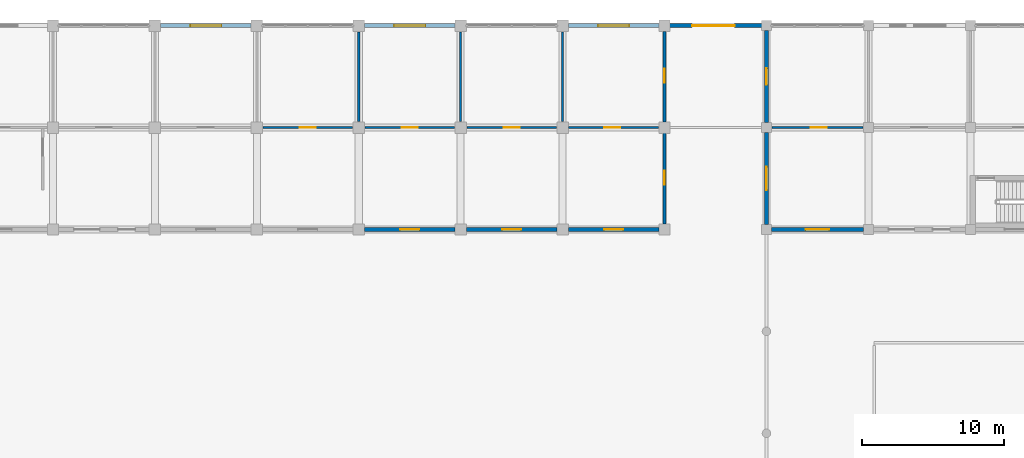
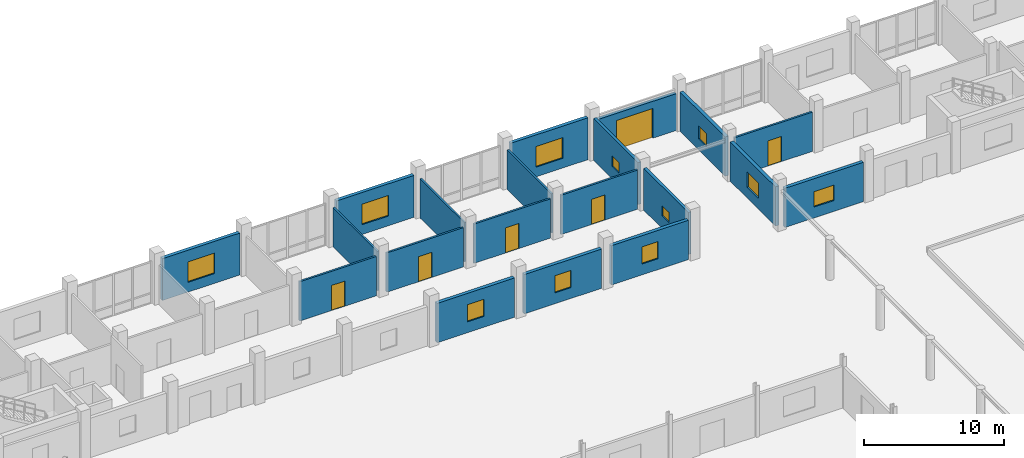
# One storey, part 119 of 139: 20 walls, 11 windows, 6 doors, 17 openings.
"""IFC4 building model written with IfcOpenShell, lengths in metres."""

from ifc_helpers import new_model, si_unit, direction, frame, frame_2d, origin, place, context, subcontext, project, spatial, rectangle, extrude, material, layer, layer_set, type_object, element, fill, save


model = new_model("IFC4")

# Units and contexts
model_context = context("Model", 3, precision=1e-05, world=origin(), true_north=direction((0.0, 1.0)))
body_context = subcontext(model_context, "Body", "Model", "MODEL_VIEW")
ifc_project = project(units=[si_unit("LENGTHUNIT", "METRE"), si_unit("AREAUNIT", "SQUARE_METRE"), si_unit("VOLUMEUNIT", "CUBIC_METRE"), si_unit("PLANEANGLEUNIT", "RADIAN"), si_unit("MASSUNIT", "GRAM", prefix="KILO")], contexts=[model_context])

# Site, building, storey
site_placement = place(None, origin())
site = spatial("IfcSite", under=ifc_project, at=site_placement, CompositionType="ELEMENT")
building_placement = place(site_placement, origin())
building = spatial("IfcBuilding", under=site, at=building_placement, Name="Suanplinth Sawtooth Commons", CompositionType="ELEMENT")
storey_placement = place(building_placement, origin())
storey = spatial("IfcBuildingStorey", under=building, at=storey_placement, Name="L00", CompositionType="ELEMENT", Elevation=0.0)

# Wall, opening, door
ifc_material_1 = material(Name="Precast concrete C40/50", Category="concrete")
ifc_layer_1 = layer(ifc_material_1, 0.280029296875, Name="Insulated precast architectural facade wall 280mm")
ifc_layer_set_1 = layer_set([ifc_layer_1], Name="Precast concrete C40/50")
wall_type_1 = type_object("IfcWallType", Name="W-EX01", PredefinedType="ELEMENTEDWALL", material=ifc_layer_set_1)
wall_1_placement = place(storey_placement, frame((115.5, 122.39990234375, 0.0), z_axis=(0.0, 0.0, 1.0), x_axis=(1.0, 0.0, 0.0)))
wall_1 = element("IfcWall", 1, at=wall_1_placement, inside=storey, type_object=wall_type_1, Name="North Street Gateway Portal Wall", PredefinedType="ELEMENTEDWALL", context=body_context, shape_type="SweptSolid", body=[
    extrude(rectangle(XDim=6.60009765625, YDim=0.280029296875, at=frame_2d((3.300048828125, 0.0))), origin(), (0.0, 0.0, 1.0), 3.219970703125),
])
opening_1_placement = place(wall_1_placement, frame((1.64990234375, 0.0, 0.0)))
opening_1 = element("IfcOpeningElement", 2, at=opening_1_placement, cuts=wall_1, Name="Opening G0004", PredefinedType="OPENING", context=body_context, shape_type="SweptSolid", body=[
    extrude(rectangle(XDim=3.0, YDim=2.60009765625, at=frame_2d((1.5, 1.300048828125))), frame((0.0, 0.15478515625, 0.0), z_axis=(0.0, -1.0, 0.0), x_axis=(1.0, 0.0, 0.0)), (0.0, 0.0, 1.0), 0.309814453125),
])
ifc_material_2 = material(Name="Powder-coated architectural steel", Category="steel")
door_type_1 = type_object("IfcDoorType", Name="VG-04", OperationType="DOUBLE_DOOR_SINGLE_SWING", PredefinedType="GATE", material=ifc_material_2)
door_1_placement = place(opening_1_placement, frame((3.0, 0.0, 0.0), z_axis=(0.0, 0.0, 1.0), x_axis=(-1.0, 0.0, 0.0)))
door_1 = element("IfcDoor", 3, at=door_1_placement, inside=storey, type_object=door_type_1, Name="North Courtyard Gateway Double Gate", OperationType="DOUBLE_DOOR_SINGLE_SWING", OverallHeight=2.60009765625, OverallWidth=3.0, PredefinedType="GATE", context=body_context, shape_type="SweptSolid", body=[
    extrude(rectangle(XDim=3.0, YDim=2.60009765625, at=frame_2d((1.5, 1.300048828125))), frame((0.0, 0.02490234375, 0.0), z_axis=(0.0, -1.0, 0.0), x_axis=(1.0, 0.0, 0.0)), (0.0, 0.0, 1.0), 0.050048828125),
])
fill(opening_1, door_1)

# Wall, opening, window
wall_2_placement = place(storey_placement, frame((79.60009765625, 122.39990234375, 0.0), z_axis=(0.0, 0.0, 1.0), x_axis=(1.0, 0.0, 0.0)))
wall_2 = element("IfcWall", 4, at=wall_2_placement, inside=storey, type_object=wall_type_1, Name="Facade Wall W-L00-A-N-11", PredefinedType="ELEMENTEDWALL", context=body_context, shape_type="SweptSolid", body=[
    extrude(rectangle(XDim=6.39990234375, YDim=0.280029296875, at=frame_2d((3.199951171875, 0.0))), origin(), (0.0, 0.0, 1.0), 3.6650390625),
])
opening_2_placement = place(wall_2_placement, frame((2.10009765625, 0.0, 0.85009765625)))
opening_2 = element("IfcOpeningElement", 5, at=opening_2_placement, cuts=wall_2, Name="Opening W0087", PredefinedType="OPENING", context=body_context, shape_type="SweptSolid", body=[
    extrude(rectangle(XDim=2.199951171875, YDim=1.800048828125, at=frame_2d((1.10009765625, 0.89990234375))), frame((0.0, 0.15478515625, 0.0), z_axis=(0.0, -1.0, 0.0), x_axis=(1.0, 0.0, 0.0)), (0.0, 0.0, 1.0), 0.309814453125),
])
ifc_material_3 = material(Name="Thermally broken aluminium and low-E double glazing", Category="aluminium")
window_type_1 = type_object("IfcWindowType", Name="WN-11", PartitioningType="TRIPLE_PANEL_VERTICAL", PredefinedType="WINDOW", material=ifc_material_3)
window_1_placement = place(opening_2_placement, origin())
window_1 = element("IfcWindow", 6, at=window_1_placement, inside=storey, type_object=window_type_1, Name="Shopfront Window A-11", OverallHeight=1.800048828125, OverallWidth=2.199951171875, PartitioningType="TRIPLE_PANEL_VERTICAL", PredefinedType="WINDOW", context=body_context, shape_type="SweptSolid", body=[
    extrude(rectangle(XDim=2.199951171875, YDim=1.800048828125, at=frame_2d((1.10009765625, 0.89990234375))), frame((0.0, 0.030029296875, 0.0), z_axis=(0.0, -1.0, 0.0), x_axis=(1.0, 0.0, 0.0)), (0.0, 0.0, 1.0), 0.06005859375),
])
fill(opening_2, window_1)

wall_3_placement = place(storey_placement, frame((94.0, 122.39990234375, 0.0), z_axis=(0.0, 0.0, 1.0), x_axis=(1.0, 0.0, 0.0)))
wall_3 = element("IfcWall", 7, at=wall_3_placement, inside=storey, type_object=wall_type_1, Name="Facade Wall W-L00-A-N-13", PredefinedType="ELEMENTEDWALL", context=body_context, shape_type="SweptSolid", body=[
    extrude(rectangle(XDim=6.39990234375, YDim=0.280029296875, at=frame_2d((3.199951171875, 0.0))), origin(), (0.0, 0.0, 1.0), 3.6650390625),
])
opening_3_placement = place(wall_3_placement, frame((2.10009765625, 0.0, 0.85009765625)))
opening_3 = element("IfcOpeningElement", 8, at=opening_3_placement, cuts=wall_3, Name="Opening W0090", PredefinedType="OPENING", context=body_context, shape_type="SweptSolid", body=[
    extrude(rectangle(XDim=2.199951171875, YDim=1.800048828125, at=frame_2d((1.10009765625, 0.89990234375))), frame((0.0, 0.15478515625, 0.0), z_axis=(0.0, -1.0, 0.0), x_axis=(1.0, 0.0, 0.0)), (0.0, 0.0, 1.0), 0.309814453125),
])
window_2_placement = place(opening_3_placement, origin())
window_2 = element("IfcWindow", 9, at=window_2_placement, inside=storey, type_object=window_type_1, Name="Shopfront Window A-13", OverallHeight=1.800048828125, OverallWidth=2.199951171875, PartitioningType="TRIPLE_PANEL_VERTICAL", PredefinedType="WINDOW", context=body_context, shape_type="SweptSolid", body=[
    extrude(rectangle(XDim=2.199951171875, YDim=1.800048828125, at=frame_2d((1.10009765625, 0.89990234375))), frame((0.0, 0.030029296875, 0.0), z_axis=(0.0, -1.0, 0.0), x_axis=(1.0, 0.0, 0.0)), (0.0, 0.0, 1.0), 0.06005859375),
])
fill(opening_3, window_2)

wall_4_placement = place(storey_placement, frame((94.0, 108.0, 0.0), z_axis=(0.0, 0.0, 1.0), x_axis=(1.0, 0.0, 0.0)))
wall_4 = element("IfcWall", 10, at=wall_4_placement, inside=storey, type_object=wall_type_1, Name="Courtyard Wall W-L00-A-S-13", PredefinedType="ELEMENTEDWALL", context=body_context, shape_type="SweptSolid", body=[
    extrude(rectangle(XDim=6.39990234375, YDim=0.280029296875, at=frame_2d((3.199951171875, 0.0))), origin(), (0.0, 0.0, 1.0), 3.43505859375),
])
opening_4_placement = place(wall_4_placement, frame((2.52490234375, 0.0, 0.949951171875)))
opening_4 = element("IfcOpeningElement", 11, at=opening_4_placement, cuts=wall_4, Name="Opening W0091", PredefinedType="OPENING", context=body_context, shape_type="SweptSolid", body=[
    extrude(rectangle(XDim=1.35009765625, YDim=1.5, at=frame_2d((0.675048828125, 0.75))), frame((0.0, 0.15478515625, 0.0), z_axis=(0.0, -1.0, 0.0), x_axis=(1.0, 0.0, 0.0)), (0.0, 0.0, 1.0), 0.309814453125),
])
window_type_2 = type_object("IfcWindowType", Name="WN-14", PartitioningType="SINGLE_PANEL", PredefinedType="WINDOW", material=ifc_material_3)
window_3_placement = place(opening_4_placement, origin())
window_3 = element("IfcWindow", 12, at=window_3_placement, inside=storey, type_object=window_type_2, Name="Courtyard Window L00-A-13", OverallHeight=1.5, OverallWidth=1.35009765625, PartitioningType="SINGLE_PANEL", PredefinedType="WINDOW", context=body_context, shape_type="SweptSolid", body=[
    extrude(rectangle(XDim=1.35009765625, YDim=1.5, at=frame_2d((0.675048828125, 0.75))), frame((0.0, 0.030029296875, 0.0), z_axis=(0.0, -1.0, 0.0), x_axis=(1.0, 0.0, 0.0)), (0.0, 0.0, 1.0), 0.06005859375),
])
fill(opening_4, window_3)

wall_5_placement = place(storey_placement, frame((101.199951171875, 108.0, 0.0), z_axis=(0.0, 0.0, 1.0), x_axis=(1.0, 0.0, 0.0)))
wall_5 = element("IfcWall", 13, at=wall_5_placement, inside=storey, type_object=wall_type_1, Name="Courtyard Wall W-L00-A-S-14", PredefinedType="ELEMENTEDWALL", context=body_context, shape_type="SweptSolid", body=[
    extrude(rectangle(XDim=6.400146484375, YDim=0.280029296875, at=frame_2d((3.2001953125, 0.0))), origin(), (0.0, 0.0, 1.0), 3.43505859375),
])
opening_5_placement = place(wall_5_placement, frame((2.52490234375, 0.0, 0.949951171875)))
opening_5 = element("IfcOpeningElement", 14, at=opening_5_placement, cuts=wall_5, Name="Opening W0092", PredefinedType="OPENING", context=body_context, shape_type="SweptSolid", body=[
    extrude(rectangle(XDim=1.35009765625, YDim=1.5, at=frame_2d((0.675048828125, 0.75))), frame((0.0, 0.15478515625, 0.0), z_axis=(0.0, -1.0, 0.0), x_axis=(1.0, 0.0, 0.0)), (0.0, 0.0, 1.0), 0.309814453125),
])
window_4_placement = place(opening_5_placement, origin())
window_4 = element("IfcWindow", 15, at=window_4_placement, inside=storey, type_object=window_type_2, Name="Courtyard Window L00-A-14", OverallHeight=1.5, OverallWidth=1.35009765625, PartitioningType="SINGLE_PANEL", PredefinedType="WINDOW", context=body_context, shape_type="SweptSolid", body=[
    extrude(rectangle(XDim=1.35009765625, YDim=1.5, at=frame_2d((0.675048828125, 0.75))), frame((0.0, 0.030029296875, 0.0), z_axis=(0.0, -1.0, 0.0), x_axis=(1.0, 0.0, 0.0)), (0.0, 0.0, 1.0), 0.06005859375),
])
fill(opening_5, window_4)

wall_6_placement = place(storey_placement, frame((108.39990234375, 122.39990234375, 0.0), z_axis=(0.0, 0.0, 1.0), x_axis=(1.0, 0.0, 0.0)))
wall_6 = element("IfcWall", 16, at=wall_6_placement, inside=storey, type_object=wall_type_1, Name="Facade Wall W-L00-A-N-15", PredefinedType="ELEMENTEDWALL", context=body_context, shape_type="SweptSolid", body=[
    extrude(rectangle(XDim=6.400146484375, YDim=0.280029296875, at=frame_2d((3.2001953125, 0.0))), origin(), (0.0, 0.0, 1.0), 3.6650390625),
])
opening_6_placement = place(wall_6_placement, frame((2.10009765625, 0.0, 0.85009765625)))
opening_6 = element("IfcOpeningElement", 17, at=opening_6_placement, cuts=wall_6, Name="Opening W0093", PredefinedType="OPENING", context=body_context, shape_type="SweptSolid", body=[
    extrude(rectangle(XDim=2.199951171875, YDim=1.800048828125, at=frame_2d((1.10009765625, 0.89990234375))), frame((0.0, 0.15478515625, 0.0), z_axis=(0.0, -1.0, 0.0), x_axis=(1.0, 0.0, 0.0)), (0.0, 0.0, 1.0), 0.309814453125),
])
window_5_placement = place(opening_6_placement, origin())
window_5 = element("IfcWindow", 18, at=window_5_placement, inside=storey, type_object=window_type_1, Name="Shopfront Window A-15", OverallHeight=1.800048828125, OverallWidth=2.199951171875, PartitioningType="TRIPLE_PANEL_VERTICAL", PredefinedType="WINDOW", context=body_context, shape_type="SweptSolid", body=[
    extrude(rectangle(XDim=2.199951171875, YDim=1.800048828125, at=frame_2d((1.10009765625, 0.89990234375))), frame((0.0, 0.030029296875, 0.0), z_axis=(0.0, -1.0, 0.0), x_axis=(1.0, 0.0, 0.0)), (0.0, 0.0, 1.0), 0.06005859375),
])
fill(opening_6, window_5)

wall_7_placement = place(storey_placement, frame((108.39990234375, 108.0, 0.0), z_axis=(0.0, 0.0, 1.0), x_axis=(1.0, 0.0, 0.0)))
wall_7 = element("IfcWall", 19, at=wall_7_placement, inside=storey, type_object=wall_type_1, Name="Courtyard Wall W-L00-A-S-15", PredefinedType="ELEMENTEDWALL", context=body_context, shape_type="SweptSolid", body=[
    extrude(rectangle(XDim=6.400146484375, YDim=0.280029296875, at=frame_2d((3.2001953125, 0.0))), origin(), (0.0, 0.0, 1.0), 3.43505859375),
])
opening_7_placement = place(wall_7_placement, frame((2.52490234375, 0.0, 0.949951171875)))
opening_7 = element("IfcOpeningElement", 20, at=opening_7_placement, cuts=wall_7, Name="Opening W0094", PredefinedType="OPENING", context=body_context, shape_type="SweptSolid", body=[
    extrude(rectangle(XDim=1.35009765625, YDim=1.5, at=frame_2d((0.675048828125, 0.75))), frame((0.0, 0.15478515625, 0.0), z_axis=(0.0, -1.0, 0.0), x_axis=(1.0, 0.0, 0.0)), (0.0, 0.0, 1.0), 0.309814453125),
])
window_6_placement = place(opening_7_placement, origin())
window_6 = element("IfcWindow", 21, at=window_6_placement, inside=storey, type_object=window_type_2, Name="Courtyard Window L00-A-15", OverallHeight=1.5, OverallWidth=1.35009765625, PartitioningType="SINGLE_PANEL", PredefinedType="WINDOW", context=body_context, shape_type="SweptSolid", body=[
    extrude(rectangle(XDim=1.35009765625, YDim=1.5, at=frame_2d((0.675048828125, 0.75))), frame((0.0, 0.030029296875, 0.0), z_axis=(0.0, -1.0, 0.0), x_axis=(1.0, 0.0, 0.0)), (0.0, 0.0, 1.0), 0.06005859375),
])
fill(opening_7, window_6)

wall_8_placement = place(storey_placement, frame((122.75, 108.0, 0.0), z_axis=(0.0, 0.0, 1.0), x_axis=(1.0, 0.0, 0.0)))
wall_8 = element("IfcWall", 22, at=wall_8_placement, inside=storey, type_object=wall_type_1, Name="Facade Wall W-L00-B-S-17-15", PredefinedType="ELEMENTEDWALL", context=body_context, shape_type="SweptSolid", body=[
    extrude(rectangle(XDim=6.5, YDim=0.280029296875, at=frame_2d((3.25, 0.0))), origin(), (0.0, 0.0, 1.0), 3.43505859375),
])
opening_8_placement = place(wall_8_placement, frame((2.425048828125, 0.0, 0.949951171875)))
opening_8 = element("IfcOpeningElement", 23, at=opening_8_placement, cuts=wall_8, Name="Opening W0099", PredefinedType="OPENING", context=body_context, shape_type="SweptSolid", body=[
    extrude(rectangle(XDim=1.64990234375, YDim=1.35009765625, at=frame_2d((0.824951171875, 0.675048828125))), frame((0.0, 0.15478515625, 0.0), z_axis=(0.0, -1.0, 0.0), x_axis=(1.0, 0.0, 0.0)), (0.0, 0.0, 1.0), 0.309814453125),
])
window_type_3 = type_object("IfcWindowType", Name="WN-19", PartitioningType="DOUBLE_PANEL_VERTICAL", PredefinedType="WINDOW", material=ifc_material_3)
window_7_placement = place(opening_8_placement, origin())
window_7 = element("IfcWindow", 24, at=window_7_placement, inside=storey, type_object=window_type_3, Name="Window L00-B-S-17-15", OverallHeight=1.35009765625, OverallWidth=1.64990234375, PartitioningType="DOUBLE_PANEL_VERTICAL", PredefinedType="WINDOW", context=body_context, shape_type="SweptSolid", body=[
    extrude(rectangle(XDim=1.64990234375, YDim=1.35009765625, at=frame_2d((0.824951171875, 0.675048828125))), frame((0.0, 0.030029296875, 0.0), z_axis=(0.0, -1.0, 0.0), x_axis=(1.0, 0.0, 0.0)), (0.0, 0.0, 1.0), 0.06005859375),
])
fill(opening_8, window_7)

wall_9_placement = place(storey_placement, frame((122.39990234375, 108.35009765625, 0.0), z_axis=(0.0, 0.0, 1.0), x_axis=(0.0, 1.0, 0.0)))
wall_9 = element("IfcWall", 25, at=wall_9_placement, inside=storey, type_object=wall_type_1, Name="Facade Wall W-L00-B-W-17-15", PredefinedType="ELEMENTEDWALL", context=body_context, shape_type="SweptSolid", body=[
    extrude(rectangle(XDim=6.5, YDim=0.280029296875, at=frame_2d((3.25, 0.0))), origin(), (0.0, 0.0, 1.0), 3.43505859375),
])
opening_9_placement = place(wall_9_placement, frame((2.425048828125, 0.0, 0.949951171875)))
opening_9 = element("IfcOpeningElement", 26, at=opening_9_placement, cuts=wall_9, Name="Opening W0100", PredefinedType="OPENING", context=body_context, shape_type="SweptSolid", body=[
    extrude(rectangle(XDim=1.64990234375, YDim=1.35009765625, at=frame_2d((0.824951171875, 0.675048828125))), frame((0.0, 0.15478515625, 0.0), z_axis=(0.0, -1.0, 0.0), x_axis=(1.0, 0.0, 0.0)), (0.0, 0.0, 1.0), 0.309814453125),
])
window_8_placement = place(opening_9_placement, origin())
window_8 = element("IfcWindow", 27, at=window_8_placement, inside=storey, type_object=window_type_3, Name="Window L00-B-W-17-15", OverallHeight=1.35009765625, OverallWidth=1.64990234375, PartitioningType="DOUBLE_PANEL_VERTICAL", PredefinedType="WINDOW", context=body_context, shape_type="SweptSolid", body=[
    extrude(rectangle(XDim=1.64990234375, YDim=1.35009765625, at=frame_2d((0.824951171875, 0.675048828125))), frame((0.0, 0.030029296875, 0.0), z_axis=(0.0, -1.0, 0.0), x_axis=(1.0, 0.0, 0.0)), (0.0, 0.0, 1.0), 0.06005859375),
])
fill(opening_9, window_8)

wall_10_placement = place(storey_placement, frame((122.39990234375, 115.550048828125, 0.0), z_axis=(0.0, 0.0, 1.0), x_axis=(0.0, 1.0, 0.0)))
wall_10 = element("IfcWall", 28, at=wall_10_placement, inside=storey, type_object=wall_type_1, Name="Facade Wall W-L00-B-W-17-16", PredefinedType="ELEMENTEDWALL", context=body_context, shape_type="SweptSolid", body=[
    extrude(rectangle(XDim=6.5, YDim=0.280029296875, at=frame_2d((3.25, 0.0))), origin(), (0.0, 0.0, 1.0), 3.43505859375),
])
opening_10_placement = place(wall_10_placement, frame((2.675048828125, 0.0, 0.949951171875)))
opening_10 = element("IfcOpeningElement", 29, at=opening_10_placement, cuts=wall_10, Name="Opening W0101", PredefinedType="OPENING", context=body_context, shape_type="SweptSolid", body=[
    extrude(rectangle(XDim=1.14990234375, YDim=1.14990234375, at=frame_2d((0.574951171875, 0.574951171875))), frame((0.0, 0.15478515625, 0.0), z_axis=(0.0, -1.0, 0.0), x_axis=(1.0, 0.0, 0.0)), (0.0, 0.0, 1.0), 0.309814453125),
])
window_type_4 = type_object("IfcWindowType", Name="WN-20", PartitioningType="SINGLE_PANEL", PredefinedType="WINDOW", material=ifc_material_3)
window_9_placement = place(opening_10_placement, origin())
window_9 = element("IfcWindow", 30, at=window_9_placement, inside=storey, type_object=window_type_4, Name="Window L00-B-W-17-16", OverallHeight=1.14990234375, OverallWidth=1.14990234375, PartitioningType="SINGLE_PANEL", PredefinedType="WINDOW", context=body_context, shape_type="SweptSolid", body=[
    extrude(rectangle(XDim=1.14990234375, YDim=1.14990234375, at=frame_2d((0.574951171875, 0.574951171875))), frame((0.0, 0.030029296875, 0.0), z_axis=(0.0, -1.0, 0.0), x_axis=(1.0, 0.0, 0.0)), (0.0, 0.0, 1.0), 0.06005859375),
])
fill(opening_10, window_9)

ifc_layer_2 = layer(ifc_material_1, 0.22998046875, Name="Stepped terrace insulated precast wall 230mm")
ifc_layer_set_2 = layer_set([ifc_layer_2], Name="Precast concrete C40/50")
wall_type_2 = type_object("IfcWallType", Name="W-EX06", PredefinedType="ELEMENTEDWALL", material=ifc_layer_set_2)
wall_11_placement = place(storey_placement, frame((115.199951171875, 108.39990234375, 0.0), z_axis=(0.0, 0.0, 1.0), x_axis=(0.0, 1.0, 0.0)))
wall_11 = element("IfcWall", 31, at=wall_11_placement, inside=storey, type_object=wall_type_2, Name="End Wall W-L00-A-E-15", PredefinedType="ELEMENTEDWALL", context=body_context, shape_type="SweptSolid", body=[
    extrude(rectangle(XDim=6.400146484375, YDim=0.22998046875, at=frame_2d((3.2001953125, 0.0))), origin(), (0.0, 0.0, 1.0), 3.6650390625),
])
opening_11_placement = place(wall_11_placement, frame((2.75, 0.0, 1.10009765625)))
opening_11 = element("IfcOpeningElement", 32, at=opening_11_placement, cuts=wall_11, Name="Opening W0097", PredefinedType="OPENING", context=body_context, shape_type="SweptSolid", body=[
    extrude(rectangle(XDim=1.0, YDim=0.89990234375, at=frame_2d((0.5, 0.449951171875))), frame((0.0, 0.1298828125, 0.0), z_axis=(0.0, -1.0, 0.0), x_axis=(1.0, 0.0, 0.0)), (0.0, 0.0, 1.0), 0.259765625),
])
window_type_5 = type_object("IfcWindowType", Name="WN-12", PartitioningType="SINGLE_PANEL", PredefinedType="WINDOW", material=ifc_material_3)
window_10_placement = place(opening_11_placement, origin())
window_10 = element("IfcWindow", 33, at=window_10_placement, inside=storey, type_object=window_type_5, Name="End Window L00-A-E-15", OverallHeight=0.89990234375, OverallWidth=1.0, PartitioningType="SINGLE_PANEL", PredefinedType="WINDOW", context=body_context, shape_type="SweptSolid", body=[
    extrude(rectangle(XDim=1.0, YDim=0.89990234375, at=frame_2d((0.5, 0.449951171875))), frame((0.0, 0.030029296875, 0.0), z_axis=(0.0, -1.0, 0.0), x_axis=(1.0, 0.0, 0.0)), (0.0, 0.0, 1.0), 0.06005859375),
])
fill(opening_11, window_10)

wall_12_placement = place(storey_placement, frame((115.199951171875, 115.60009765625, 0.0), z_axis=(0.0, 0.0, 1.0), x_axis=(0.0, 1.0, 0.0)))
wall_12 = element("IfcWall", 34, at=wall_12_placement, inside=storey, type_object=wall_type_2, Name="End Wall W-L00-A-E-16", PredefinedType="ELEMENTEDWALL", context=body_context, shape_type="SweptSolid", body=[
    extrude(rectangle(XDim=6.39990234375, YDim=0.22998046875, at=frame_2d((3.199951171875, 0.0))), origin(), (0.0, 0.0, 1.0), 3.6650390625),
])
opening_12_placement = place(wall_12_placement, frame((2.75, 0.0, 1.10009765625)))
opening_12 = element("IfcOpeningElement", 35, at=opening_12_placement, cuts=wall_12, Name="Opening W0098", PredefinedType="OPENING", context=body_context, shape_type="SweptSolid", body=[
    extrude(rectangle(XDim=1.0, YDim=0.89990234375, at=frame_2d((0.5, 0.449951171875))), frame((0.0, 0.1298828125, 0.0), z_axis=(0.0, -1.0, 0.0), x_axis=(1.0, 0.0, 0.0)), (0.0, 0.0, 1.0), 0.259765625),
])
window_11_placement = place(opening_12_placement, origin())
window_11 = element("IfcWindow", 36, at=window_11_placement, inside=storey, type_object=window_type_5, Name="End Window L00-A-E-16", OverallHeight=0.89990234375, OverallWidth=1.0, PartitioningType="SINGLE_PANEL", PredefinedType="WINDOW", context=body_context, shape_type="SweptSolid", body=[
    extrude(rectangle(XDim=1.0, YDim=0.89990234375, at=frame_2d((0.5, 0.449951171875))), frame((0.0, 0.030029296875, 0.0), z_axis=(0.0, -1.0, 0.0), x_axis=(1.0, 0.0, 0.0)), (0.0, 0.0, 1.0), 0.06005859375),
])
fill(opening_12, window_11)

# Wall, opening, door
ifc_layer_3 = layer(ifc_material_1, 0.159912109375, Name="Fire-rated corridor and lobby wall 160mm")
ifc_layer_set_3 = layer_set([ifc_layer_3], Name="Precast concrete C40/50")
wall_type_3 = type_object("IfcWallType", Name="W-FW01", PredefinedType="PARTITIONING", material=ifc_layer_set_3)
wall_13_placement = place(storey_placement, frame((86.830078125, 115.199951171875, 0.0), z_axis=(0.0, 0.0, 1.0), x_axis=(1.0, 0.0, 0.0)))
wall_13 = element("IfcWall", 37, at=wall_13_placement, inside=storey, type_object=wall_type_3, Name="W-A-L00-GROUNDROOM-12-COR", PredefinedType="PARTITIONING", context=body_context, shape_type="SweptSolid", body=[
    extrude(rectangle(XDim=6.33984375, YDim=0.159912109375, at=frame_2d((3.169921875, 0.0))), origin(), (0.0, 0.0, 1.0), 3.43505859375),
])
opening_13_placement = place(wall_13_placement, frame((2.610107421875, 0.0, 0.0)))
opening_13 = element("IfcOpeningElement", 38, at=opening_13_placement, cuts=wall_13, Name="Opening D0482", PredefinedType="OPENING", context=body_context, shape_type="SweptSolid", body=[
    extrude(rectangle(XDim=1.1201171875, YDim=2.199951171875, at=frame_2d((0.56005859375, 1.10009765625))), frame((0.0, 0.0947265625, 0.0), z_axis=(0.0, -1.0, 0.0), x_axis=(1.0, 0.0, 0.0)), (0.0, 0.0, 1.0), 0.189697265625),
])
ifc_material_4 = material(Name="Teak hardwood", Category="wood")
door_type_2 = type_object("IfcDoorType", Name="D-18", OperationType="NOTDEFINED", PredefinedType="DOOR", material=ifc_material_4)
door_2_placement = place(opening_13_placement, origin())
door_2 = element("IfcDoor", 39, at=door_2_placement, inside=storey, type_object=door_type_2, Name="Unit Entrance Door D0482", OperationType="SINGLE_SWING_RIGHT", OverallHeight=2.199951171875, OverallWidth=1.1201171875, PredefinedType="DOOR", context=body_context, shape_type="SweptSolid", body=[
    extrude(rectangle(XDim=1.1201171875, YDim=2.199951171875, at=frame_2d((0.56005859375, 1.10009765625))), frame((0.0, 0.02490234375, 0.0), z_axis=(0.0, -1.0, 0.0), x_axis=(1.0, 0.0, 0.0)), (0.0, 0.0, 1.0), 0.050048828125),
])
fill(opening_13, door_2)

wall_14_placement = place(storey_placement, frame((94.030029296875, 115.199951171875, 0.0), z_axis=(0.0, 0.0, 1.0), x_axis=(1.0, 0.0, 0.0)))
wall_14 = element("IfcWall", 40, at=wall_14_placement, inside=storey, type_object=wall_type_3, Name="W-A-L00-GROUNDROOM-13-COR", PredefinedType="PARTITIONING", context=body_context, shape_type="SweptSolid", body=[
    extrude(rectangle(XDim=6.340087890625, YDim=0.159912109375, at=frame_2d((3.169921875, 0.0))), origin(), (0.0, 0.0, 1.0), 3.43505859375),
])
opening_14_placement = place(wall_14_placement, frame((2.610107421875, 0.0, 0.0)))
opening_14 = element("IfcOpeningElement", 41, at=opening_14_placement, cuts=wall_14, Name="Opening D0483", PredefinedType="OPENING", context=body_context, shape_type="SweptSolid", body=[
    extrude(rectangle(XDim=1.1201171875, YDim=2.199951171875, at=frame_2d((0.56005859375, 1.10009765625))), frame((0.0, 0.0947265625, 0.0), z_axis=(0.0, -1.0, 0.0), x_axis=(1.0, 0.0, 0.0)), (0.0, 0.0, 1.0), 0.189697265625),
])
door_3_placement = place(opening_14_placement, origin())
door_3 = element("IfcDoor", 42, at=door_3_placement, inside=storey, type_object=door_type_2, Name="Unit Entrance Door D0483", OperationType="SINGLE_SWING_LEFT", OverallHeight=2.199951171875, OverallWidth=1.1201171875, PredefinedType="DOOR", context=body_context, shape_type="SweptSolid", body=[
    extrude(rectangle(XDim=1.1201171875, YDim=2.199951171875, at=frame_2d((0.56005859375, 1.10009765625))), frame((0.0, 0.02490234375, 0.0), z_axis=(0.0, -1.0, 0.0), x_axis=(1.0, 0.0, 0.0)), (0.0, 0.0, 1.0), 0.050048828125),
])
fill(opening_14, door_3)

wall_15_placement = place(storey_placement, frame((101.22998046875, 115.199951171875, 0.0), z_axis=(0.0, 0.0, 1.0), x_axis=(1.0, 0.0, 0.0)))
wall_15 = element("IfcWall", 43, at=wall_15_placement, inside=storey, type_object=wall_type_3, Name="W-A-L00-GROUNDROOM-14-COR", PredefinedType="PARTITIONING", context=body_context, shape_type="SweptSolid", body=[
    extrude(rectangle(XDim=6.340087890625, YDim=0.159912109375, at=frame_2d((3.169921875, 0.0))), origin(), (0.0, 0.0, 1.0), 3.43505859375),
])
opening_15_placement = place(wall_15_placement, frame((2.610107421875, 0.0, 0.0)))
opening_15 = element("IfcOpeningElement", 44, at=opening_15_placement, cuts=wall_15, Name="Opening D0484", PredefinedType="OPENING", context=body_context, shape_type="SweptSolid", body=[
    extrude(rectangle(XDim=1.1201171875, YDim=2.199951171875, at=frame_2d((0.56005859375, 1.10009765625))), frame((0.0, 0.0947265625, 0.0), z_axis=(0.0, -1.0, 0.0), x_axis=(1.0, 0.0, 0.0)), (0.0, 0.0, 1.0), 0.189697265625),
])
door_4_placement = place(opening_15_placement, origin())
door_4 = element("IfcDoor", 45, at=door_4_placement, inside=storey, type_object=door_type_2, Name="Unit Entrance Door D0484", OperationType="SINGLE_SWING_RIGHT", OverallHeight=2.199951171875, OverallWidth=1.1201171875, PredefinedType="DOOR", context=body_context, shape_type="SweptSolid", body=[
    extrude(rectangle(XDim=1.1201171875, YDim=2.199951171875, at=frame_2d((0.56005859375, 1.10009765625))), frame((0.0, 0.02490234375, 0.0), z_axis=(0.0, -1.0, 0.0), x_axis=(1.0, 0.0, 0.0)), (0.0, 0.0, 1.0), 0.050048828125),
])
fill(opening_15, door_4)

wall_16_placement = place(storey_placement, frame((108.429931640625, 115.199951171875, 0.0), z_axis=(0.0, 0.0, 1.0), x_axis=(1.0, 0.0, 0.0)))
wall_16 = element("IfcWall", 46, at=wall_16_placement, inside=storey, type_object=wall_type_3, Name="W-A-L00-GROUNDROOM-15-COR", PredefinedType="PARTITIONING", context=body_context, shape_type="SweptSolid", body=[
    extrude(rectangle(XDim=6.340087890625, YDim=0.159912109375, at=frame_2d((3.169921875, 0.0))), origin(), (0.0, 0.0, 1.0), 3.43505859375),
])
opening_16_placement = place(wall_16_placement, frame((2.510009765625, 0.0, 0.0)))
opening_16 = element("IfcOpeningElement", 47, at=opening_16_placement, cuts=wall_16, Name="Opening D0485", PredefinedType="OPENING", context=body_context, shape_type="SweptSolid", body=[
    extrude(rectangle(XDim=1.1201171875, YDim=2.199951171875, at=frame_2d((0.56005859375, 1.10009765625))), frame((0.0, 0.0947265625, 0.0), z_axis=(0.0, -1.0, 0.0), x_axis=(1.0, 0.0, 0.0)), (0.0, 0.0, 1.0), 0.189697265625),
])
door_5_placement = place(opening_16_placement, origin())
door_5 = element("IfcDoor", 48, at=door_5_placement, inside=storey, type_object=door_type_2, Name="Unit Entrance Door D0485", OperationType="SINGLE_SWING_LEFT", OverallHeight=2.199951171875, OverallWidth=1.1201171875, PredefinedType="DOOR", context=body_context, shape_type="SweptSolid", body=[
    extrude(rectangle(XDim=1.1201171875, YDim=2.199951171875, at=frame_2d((0.56005859375, 1.10009765625))), frame((0.0, 0.02490234375, 0.0), z_axis=(0.0, -1.0, 0.0), x_axis=(1.0, 0.0, 0.0)), (0.0, 0.0, 1.0), 0.050048828125),
])
fill(opening_16, door_5)

wall_17_placement = place(storey_placement, frame((122.780029296875, 115.199951171875, 0.0), z_axis=(0.0, 0.0, 1.0), x_axis=(1.0, 0.0, 0.0)))
wall_17 = element("IfcWall", 49, at=wall_17_placement, inside=storey, type_object=wall_type_3, Name="W-B-L00-GROUNDROOM-16-COR", PredefinedType="PARTITIONING", context=body_context, shape_type="SweptSolid", body=[
    extrude(rectangle(XDim=6.43994140625, YDim=0.159912109375, at=frame_2d((3.219970703125, 0.0))), origin(), (0.0, 0.0, 1.0), 3.43505859375),
])
opening_17_placement = place(wall_17_placement, frame((2.760009765625, 0.0, 0.0)))
opening_17 = element("IfcOpeningElement", 50, at=opening_17_placement, cuts=wall_17, Name="Opening D0486", PredefinedType="OPENING", context=body_context, shape_type="SweptSolid", body=[
    extrude(rectangle(XDim=1.1201171875, YDim=2.199951171875, at=frame_2d((0.56005859375, 1.10009765625))), frame((0.0, 0.0947265625, 0.0), z_axis=(0.0, -1.0, 0.0), x_axis=(1.0, 0.0, 0.0)), (0.0, 0.0, 1.0), 0.189697265625),
])
door_6_placement = place(opening_17_placement, origin())
door_6 = element("IfcDoor", 51, at=door_6_placement, inside=storey, type_object=door_type_2, Name="Unit Entrance Door D0486", OperationType="SINGLE_SWING_RIGHT", OverallHeight=2.199951171875, OverallWidth=1.1201171875, PredefinedType="DOOR", context=body_context, shape_type="SweptSolid", body=[
    extrude(rectangle(XDim=1.1201171875, YDim=2.199951171875, at=frame_2d((0.56005859375, 1.10009765625))), frame((0.0, 0.02490234375, 0.0), z_axis=(0.0, -1.0, 0.0), x_axis=(1.0, 0.0, 0.0)), (0.0, 0.0, 1.0), 0.050048828125),
])
fill(opening_17, door_6)

# Walls
ifc_layer_4 = layer(ifc_material_1, 0.14990234375, Name="Acoustic precast party demising wall 150mm")
ifc_layer_set_4 = layer_set([ifc_layer_4], Name="Precast concrete C40/50")
wall_type_4 = type_object("IfcWallType", Name="W-FW02", PredefinedType="PARTITIONING", material=ifc_layer_set_4)
for number, where, z_axis, x_axis, name in (
    (52, (93.60009765625, 115.6298828125, 0.0), (0.0, 0.0, 1.0), (0.0, 1.0, 0.0), "W-A-L00-GROUNDROOM-12-PTY"),
    (53, (100.800048828125, 115.6298828125, 0.0), (0.0, 0.0, 1.0), (0.0, 1.0, 0.0), "W-A-L00-GROUNDROOM-13-PTY"),
    (54, (108.0, 115.6298828125, 0.0), (0.0, 0.0, 1.0), (0.0, 1.0, 0.0), "W-A-L00-GROUNDROOM-14-PTY"),
):
    element("IfcWall", number, at=place(storey_placement, frame(where, z_axis=z_axis, x_axis=x_axis)), inside=storey, type_object=wall_type_4, Name=name, PredefinedType="PARTITIONING", context=body_context, shape_type="SweptSolid", body=[
        extrude(rectangle(XDim=6.340087890625, YDim=0.14990234375, at=frame_2d((3.169921875, 0.0))), origin(), (0.0, 0.0, 1.0), 3.43505859375),
    ])

save(model, "model.ifc")
